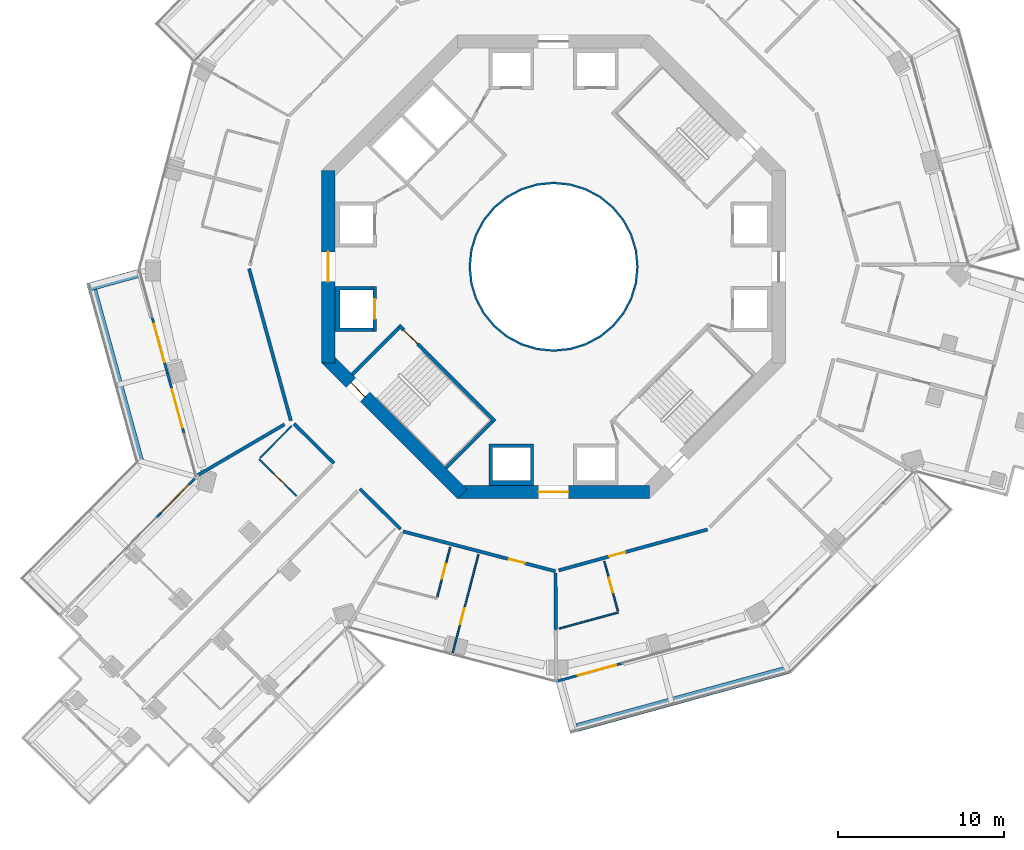
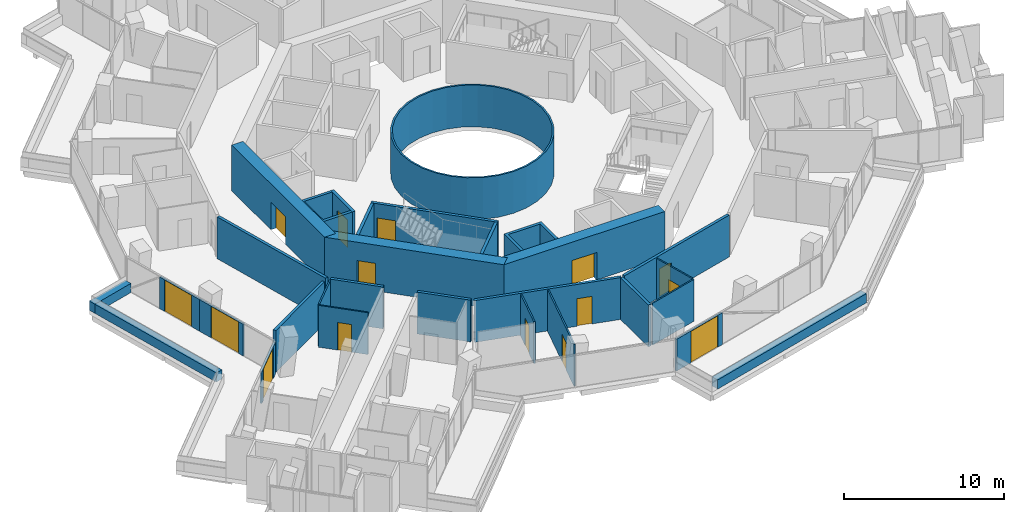
# One storey, part 18 of 26: 30 walls, 15 doors, 15 openings.
"""IFC4 building model written with IfcOpenShell, lengths in metres."""

from ifc_helpers import new_model, si_unit, direction, frame, frame_2d, origin, place, context, subcontext, project, spatial, polyline, rectangle, outline, extrude, material, layer, layer_set, type_object, element, fill, save


model = new_model("IFC4")

# Units and contexts
model_context = context("Model", 3, precision=1e-05, world=origin(), true_north=direction((0.0, 1.0)))
body_context = subcontext(model_context, "Body", "Model", "MODEL_VIEW")
ifc_project = project(units=[si_unit("LENGTHUNIT", "METRE"), si_unit("AREAUNIT", "SQUARE_METRE"), si_unit("VOLUMEUNIT", "CUBIC_METRE"), si_unit("PLANEANGLEUNIT", "RADIAN"), si_unit("MASSUNIT", "GRAM", prefix="KILO")], contexts=[model_context])

# Site, building, storey
site_placement = place(None, origin())
site = spatial("IfcSite", under=ifc_project, at=site_placement, CompositionType="ELEMENT")
building_placement = place(site_placement, origin())
building = spatial("IfcBuilding", under=site, at=building_placement, Name="Verdalira Terraces Hotel", CompositionType="ELEMENT")
storey_placement = place(building_placement, frame((0.0, 0.0, 96.5)))
storey = spatial("IfcBuildingStorey", under=building, at=storey_placement, Name="L22", CompositionType="ELEMENT", Elevation=96.5)

# Walls
ifc_material_1 = material(Name="Fire-resisting glass EI 180", Category="glass")
ifc_layer_1 = layer(ifc_material_1, 0.1201171875)
ifc_layer_set_1 = layer_set([ifc_layer_1], Name="Atrium fire screen 120 mm")
wall_type_1 = type_object("IfcWallType", Name="Atrium fire screen 120 mm", PredefinedType="SOLIDWALL", material=ifc_layer_set_1)
wall_1_placement = place(storey_placement, origin())
element("IfcWall", 1, at=wall_1_placement, inside=storey, type_object=wall_type_1, Name="Atrium fire screen", PredefinedType="SOLIDWALL", context=body_context, shape_type="SweptSolid", body=[
    extrude(outline(polyline([(5.021484, -0.998779), (4.730225, -1.959229), (4.25708, -2.844482), (3.620361, -3.620361), (2.844482, -4.25708), (1.959229, -4.730225), (0.998779, -5.021484), (0.0, -5.120117), (-0.998779, -5.021484), (-1.959229, -4.730225), (-2.844482, -4.25708), (-3.620361, -3.620361), (-4.25708, -2.844482), (-4.730225, -1.959229), (-5.021484, -0.998779), (-5.120117, 0.0), (-5.021484, 0.998779), (-4.730225, 1.959229), (-4.25708, 2.844482), (-3.620361, 3.620361), (-2.844482, 4.25708), (-1.959229, 4.730225), (-0.998779, 5.021484), (0.0, 5.120117), (0.998779, 5.021484), (1.959229, 4.730225), (2.844482, 4.25708), (3.620361, 3.620361), (4.25708, 2.844482), (4.730225, 1.959229), (5.021484, 0.998779), (5.120117, 0.0), (5.021484, -0.998779)]), holes=[polyline([(4.903809, 0.975586), (4.619385, 1.91333), (4.157227, 2.777832), (3.5354, 3.5354), (2.777832, 4.157227), (1.91333, 4.619385), (0.975586, 4.903809), (0.0, 5.0), (-0.975586, 4.903809), (-1.91333, 4.619385), (-2.777832, 4.157227), (-3.5354, 3.5354), (-4.157227, 2.777832), (-4.619385, 1.91333), (-4.903809, 0.975586), (-5.0, 0.0), (-4.903809, -0.975586), (-4.619385, -1.91333), (-4.157227, -2.777832), (-3.5354, -3.5354), (-2.777832, -4.157227), (-1.91333, -4.619385), (-0.975586, -4.903809), (0.0, -5.0), (0.975586, -4.903809), (1.91333, -4.619385), (2.777832, -4.157227), (3.5354, -3.5354), (4.157227, -2.777832), (4.619385, -1.91333), (4.903809, -0.975586), (5.0, 0.0), (4.903809, 0.975586)])]), origin(), (0.0, 0.0, 1.0), 3.189941),
])
ifc_material_2 = material(Name="Concrete C40", Category="concrete")
ifc_layer_2 = layer(ifc_material_2, 0.5)
ifc_layer_set_2 = layer_set([ifc_layer_2], Name="Balcony planter trough with tree")
wall_type_2 = type_object("IfcWallType", Name="Balcony planter trough with tree", PredefinedType="SOLIDWALL", material=ifc_layer_set_2)
wall_2_placement = place(storey_placement, frame((-25.04834, -0.39917, 0.0), z_axis=(0.0, 0.0, 1.0), x_axis=(-0.964276089, -0.264899272, 0.0)))
element("IfcWall", 2, at=wall_2_placement, inside=storey, type_object=wall_type_2, Name="Balcony planter", PredefinedType="SOLIDWALL", context=body_context, shape_type="SweptSolid", body=[
    extrude(rectangle(XDim=3.198975, YDim=0.5, at=frame_2d((1.599609, 0.0))), origin(), (0.0, 0.0, 1.0), 0.699951),
])
wall_3_placement = place(storey_placement, frame((-27.825684, -1.421387, 0.0), z_axis=(0.0, 0.0, 1.0), x_axis=(0.264872018, -0.964283576, 0.0)))
element("IfcWall", 3, at=wall_3_placement, inside=storey, type_object=wall_type_2, Name="Balcony planter", PredefinedType="SOLIDWALL", context=body_context, shape_type="SweptSolid", body=[
    extrude(rectangle(XDim=10.652344, YDim=0.5, at=frame_2d((5.326172, 0.0))), origin(), (0.0, 0.0, 1.0), 0.699951),
])
wall_4_placement = place(storey_placement, frame((1.421387, -27.825684, 0.0), z_axis=(0.0, 0.0, 1.0), x_axis=(0.964279464, 0.264886985, 0.0)))
element("IfcWall", 4, at=wall_4_placement, inside=storey, type_object=wall_type_2, Name="Balcony planter", PredefinedType="SOLIDWALL", context=body_context, shape_type="SweptSolid", body=[
    extrude(rectangle(XDim=13.223389, YDim=0.5, at=frame_2d((6.611816, 0.0))), origin(), (0.0, 0.0, 1.0), 0.699951),
])
ifc_material_3 = material(Name="Moisture-resistant gypsum board partition")
ifc_layer_3 = layer(ifc_material_3, 0.10009765625)
ifc_layer_set_3 = layer_set([ifc_layer_3], Name="Bathroom partition 100 mm")
wall_type_3 = type_object("IfcWallType", Name="Bathroom partition 100 mm", PredefinedType="PARTITIONING", material=ifc_layer_set_3)
wall_5_placement = place(storey_placement, frame((-15.820312, -9.616211, 0.0), z_axis=(0.0, 0.0, 1.0), x_axis=(-0.702707475, -0.711478885, 0.0)))
element("IfcWall", 5, at=wall_5_placement, inside=storey, type_object=wall_type_3, Name="Bathroom partition", PredefinedType="PARTITIONING", context=body_context, shape_type="SweptSolid", body=[
    extrude(rectangle(XDim=2.699951, YDim=0.100098, at=frame_2d((1.350098, 0.0))), origin(), (0.0, 0.0, 1.0), 3.189941),
])

# Wall, opening, door
wall_6_placement = place(storey_placement, frame((-17.787842, -11.608398, 0.0), z_axis=(0.0, 0.0, 1.0), x_axis=(0.711593797, -0.70259111, 0.0)))
wall_6 = element("IfcWall", 6, at=wall_6_placement, inside=storey, type_object=wall_type_3, Name="Bathroom partition", PredefinedType="PARTITIONING", context=body_context, shape_type="SweptSolid", body=[
    extrude(rectangle(XDim=3.199951, YDim=0.100098, at=frame_2d((1.600098, 0.0))), origin(), (0.0, 0.0, 1.0), 3.189941),
])
opening_1_placement = place(wall_6_placement, frame((1.25, 0.0, 0.0)))
opening_1 = element("IfcOpeningElement", 7, at=opening_1_placement, cuts=wall_6, Name="Opening L22-115", PredefinedType="OPENING", context=body_context, shape_type="SweptSolid", body=[
    extrude(rectangle(XDim=0.899902, YDim=2.100098, at=frame_2d((0.449951, 1.050049))), frame((0.0, 0.060059, 0.0), z_axis=(0.0, -1.0, 0.0), x_axis=(1.0, 0.0, 0.0)), (0.0, 0.0, 1.0), 0.120117),
])
ifc_material_4 = material(Name="Timber door", Category="wood")
door_type_1 = type_object("IfcDoorType", Name="Bathroom door 900 x 2100", OperationType="NOTDEFINED", PredefinedType="DOOR", material=ifc_material_4)
door_1_placement = place(opening_1_placement, origin())
door_1 = element("IfcDoor", 8, at=door_1_placement, inside=storey, type_object=door_type_1, Name="Bathroom door 2205", OperationType="SINGLE_SWING_LEFT", OverallHeight=2.10009765625, OverallWidth=0.89990234375, PredefinedType="DOOR", context=body_context, shape_type="SweptSolid", body=[
    extrude(rectangle(XDim=0.899902, YDim=2.100098, at=frame_2d((0.449951, 1.050049))), frame((0.0, 0.024902, 0.0), z_axis=(0.0, -1.0, 0.0), x_axis=(1.0, 0.0, 0.0)), (0.0, 0.0, 1.0), 0.050049),
])
fill(opening_1, door_1)

wall_7_placement = place(storey_placement, frame((-7.023682, -19.930176, 0.0), z_axis=(0.0, 0.0, 1.0), x_axis=(0.252806597, 0.967516834, 0.0)))
wall_7 = element("IfcWall", 9, at=wall_7_placement, inside=storey, type_object=wall_type_3, Name="Bathroom partition", PredefinedType="PARTITIONING", context=body_context, shape_type="SweptSolid", body=[
    extrude(rectangle(XDim=3.099854, YDim=0.100098, at=frame_2d((1.549805, 0.0))), origin(), (0.0, 0.0, 1.0), 3.189941),
])
opening_2_placement = place(wall_7_placement, frame((1.149902, 0.0, 0.0)))
opening_2 = element("IfcOpeningElement", 10, at=opening_2_placement, cuts=wall_7, Name="Opening L22-123", PredefinedType="OPENING", context=body_context, shape_type="SweptSolid", body=[
    extrude(rectangle(XDim=0.899902, YDim=2.100098, at=frame_2d((0.449951, 1.050049))), frame((0.0, 0.060059, 0.0), z_axis=(0.0, -1.0, 0.0), x_axis=(1.0, 0.0, 0.0)), (0.0, 0.0, 1.0), 0.120117),
])
door_2_placement = place(opening_2_placement, origin())
door_2 = element("IfcDoor", 11, at=door_2_placement, inside=storey, type_object=door_type_1, Name="Bathroom door 2208", OperationType="SINGLE_SWING_LEFT", OverallHeight=2.10009765625, OverallWidth=0.89990234375, PredefinedType="DOOR", context=body_context, shape_type="SweptSolid", body=[
    extrude(rectangle(XDim=0.899902, YDim=2.100098, at=frame_2d((0.449951, 1.050049))), frame((0.0, 0.024902, 0.0), z_axis=(0.0, -1.0, 0.0), x_axis=(1.0, 0.0, 0.0)), (0.0, 0.0, 1.0), 0.050049),
])
fill(opening_2, door_2)

wall_8_placement = place(storey_placement, frame((-6.093262, -23.325684, 0.0), z_axis=(0.0, 0.0, 1.0), x_axis=(0.252749926, 0.96753164, 0.0)))
wall_8 = element("IfcWall", 12, at=wall_8_placement, inside=storey, type_object=wall_type_3, Name="Bathroom partition", PredefinedType="PARTITIONING", context=body_context, shape_type="SweptSolid", body=[
    extrude(rectangle(XDim=6.150146, YDim=0.100098, at=frame_2d((3.075195, 0.0))), origin(), (0.0, 0.0, 1.0), 3.189941),
])
opening_3_placement = place(wall_8_placement, frame((1.800049, 0.0, 0.0)))
opening_3 = element("IfcOpeningElement", 13, at=opening_3_placement, cuts=wall_8, Name="Opening L22-122", PredefinedType="OPENING", context=body_context, shape_type="SweptSolid", body=[
    extrude(rectangle(XDim=1.0, YDim=2.100098, at=frame_2d((0.5, 1.050049))), frame((0.0, 0.060059, 0.0), z_axis=(0.0, -1.0, 0.0), x_axis=(1.0, 0.0, 0.0)), (0.0, 0.0, 1.0), 0.120117),
])
ifc_material_5 = material(Name="Timber door", Category="wood")
door_type_2 = type_object("IfcDoorType", Name="Suite internal door 1000 x 2100", OperationType="NOTDEFINED", PredefinedType="DOOR", material=ifc_material_5)
door_3_placement = place(opening_3_placement, origin())
door_3 = element("IfcDoor", 14, at=door_3_placement, inside=storey, type_object=door_type_2, Name="Suite internal door 2208", OperationType="SINGLE_SWING_LEFT", OverallHeight=2.10009765625, OverallWidth=1.0, PredefinedType="DOOR", context=body_context, shape_type="SweptSolid", body=[
    extrude(rectangle(XDim=1.0, YDim=2.100098, at=frame_2d((0.5, 1.050049))), frame((0.0, 0.024902, 0.0), z_axis=(0.0, -1.0, 0.0), x_axis=(1.0, 0.0, 0.0)), (0.0, 0.0, 1.0), 0.050049),
])
fill(opening_3, door_3)

# Wall
wall_9_placement = place(storey_placement, frame((3.908936, -20.868408, 0.0), z_axis=(0.0, 0.0, 1.0), x_axis=(-0.964289186, -0.264851593, 0.0)))
element("IfcWall", 15, at=wall_9_placement, inside=storey, type_object=wall_type_3, Name="Bathroom partition", PredefinedType="PARTITIONING", context=body_context, shape_type="SweptSolid", body=[
    extrude(rectangle(XDim=3.703857, YDim=0.100098, at=frame_2d((1.852051, 0.0))), origin(), (0.0, 0.0, 1.0), 3.189941),
])

# Wall, opening, door
wall_10_placement = place(storey_placement, frame((3.882568, -20.771973, 0.0), z_axis=(0.0, 0.0, 1.0), x_axis=(-0.264929502, 0.964267784, 0.0)))
wall_10 = element("IfcWall", 16, at=wall_10_placement, inside=storey, type_object=wall_type_3, Name="Bathroom partition", PredefinedType="PARTITIONING", context=body_context, shape_type="SweptSolid", body=[
    extrude(rectangle(XDim=3.100098, YDim=0.100098, at=frame_2d((1.550049, 0.0))), origin(), (0.0, 0.0, 1.0), 3.189941),
])
opening_4_placement = place(wall_10_placement, frame((1.149902, 0.0, 0.0)))
opening_4 = element("IfcOpeningElement", 17, at=opening_4_placement, cuts=wall_10, Name="Opening L22-125", PredefinedType="OPENING", context=body_context, shape_type="SweptSolid", body=[
    extrude(rectangle(XDim=0.899902, YDim=2.100098, at=frame_2d((0.449951, 1.050049))), frame((0.0, 0.060059, 0.0), z_axis=(0.0, -1.0, 0.0), x_axis=(1.0, 0.0, 0.0)), (0.0, 0.0, 1.0), 0.120117),
])
door_4_placement = place(opening_4_placement, origin())
door_4 = element("IfcDoor", 18, at=door_4_placement, inside=storey, type_object=door_type_1, Name="Bathroom door 2209", OperationType="SINGLE_SWING_LEFT", OverallHeight=2.10009765625, OverallWidth=0.89990234375, PredefinedType="DOOR", context=body_context, shape_type="SweptSolid", body=[
    extrude(rectangle(XDim=0.899902, YDim=2.100098, at=frame_2d((0.449951, 1.050049))), frame((0.0, 0.024902, 0.0), z_axis=(0.0, -1.0, 0.0), x_axis=(1.0, 0.0, 0.0)), (0.0, 0.0, 1.0), 0.050049),
])
fill(opening_4, door_4)

# Wall
ifc_material_6 = material(Name="Concrete C50", Category="concrete")
ifc_layer_4 = layer(ifc_material_6, 0.199951171875)
ifc_layer_set_4 = layer_set([ifc_layer_4], Name="Core RC wall 200 C50")
wall_type_4 = type_object("IfcWallType", Name="Core RC wall 200 C50", PredefinedType="SOLIDWALL", material=ifc_layer_set_4)
wall_11_placement = place(storey_placement, origin())
element("IfcWall", 19, at=wall_11_placement, inside=storey, type_object=wall_type_4, Name="L22 shaft wall W2", PredefinedType="SOLIDWALL", context=body_context, shape_type="SweptSolid", body=[
    extrude(outline(polyline([(-13.199951, -3.899902), (-13.199951, -1.199951), (-10.899902, -1.199951), (-10.899902, -1.399902), (-12.899902, -1.399902), (-12.899902, -3.699951), (-10.899902, -3.699951), (-10.899902, -3.899902), (-13.199951, -3.899902)])), origin(), (0.0, 0.0, 1.0), 3.189941),
])

# Wall, opening, door
wall_12_placement = place(storey_placement, frame((-10.800049, -1.199951, 0.0), z_axis=(0.0, 0.0, 1.0), x_axis=(0.0, -1.0, 0.0)))
wall_12 = element("IfcWall", 20, at=wall_12_placement, inside=storey, type_object=wall_type_4, Name="L22 shaft front wall W2", PredefinedType="SOLIDWALL", context=body_context, shape_type="SweptSolid", body=[
    extrude(rectangle(XDim=2.699951, YDim=0.199951, at=frame_2d((1.350098, 0.0))), origin(), (0.0, 0.0, 1.0), 3.189941),
])
opening_5_placement = place(wall_12_placement, frame((0.75, 0.0, 0.0)))
opening_5 = element("IfcOpeningElement", 21, at=opening_5_placement, cuts=wall_12, Name="Opening LD-L22-806", PredefinedType="OPENING", context=body_context, shape_type="SweptSolid", body=[
    extrude(rectangle(XDim=1.199951, YDim=2.100098, at=frame_2d((0.600098, 1.050049))), frame((0.0, 0.109863, 0.0), z_axis=(0.0, -1.0, 0.0), x_axis=(1.0, 0.0, 0.0)), (0.0, 0.0, 1.0), 0.219971),
])
ifc_material_7 = material(Name="Stainless steel", Category="steel")
door_type_3 = type_object("IfcDoorType", Name="Landing door 1200 x 2100", OperationType="NOTDEFINED", PredefinedType="DOOR", material=ifc_material_7)
door_5_placement = place(opening_5_placement, origin())
door_5 = element("IfcDoor", 22, at=door_5_placement, inside=storey, type_object=door_type_3, Name="Lift landing door LR6 L22", OperationType="DOUBLE_DOOR_SLIDING", OverallHeight=2.10009765625, OverallWidth=1.199951171875, PredefinedType="DOOR", context=body_context, shape_type="SweptSolid", body=[
    extrude(rectangle(XDim=1.199951, YDim=2.100098, at=frame_2d((0.600098, 1.050049))), frame((0.0, 0.024902, 0.0), z_axis=(0.0, -1.0, 0.0), x_axis=(1.0, 0.0, 0.0)), (0.0, 0.0, 1.0), 0.050049),
])
fill(opening_5, door_5)

# Wall
wall_13_placement = place(storey_placement, origin())
element("IfcWall", 23, at=wall_13_placement, inside=storey, type_object=wall_type_4, Name="L22 shaft wall S1", PredefinedType="SOLIDWALL", context=body_context, shape_type="SweptSolid", body=[
    extrude(outline(polyline([(-1.199951, -13.199951), (-3.899902, -13.199951), (-3.899902, -10.699951), (-1.199951, -10.699951), (-1.199951, -13.199951)]), holes=[polyline([(-3.699951, -10.899902), (-3.699951, -12.899902), (-1.399902, -12.899902), (-1.399902, -10.899902), (-3.699951, -10.899902)])]), origin(), (0.0, 0.0, 1.0), 3.189941),
])

# Wall, opening, door
wall_14_placement = place(storey_placement, frame((-3.5354, -9.33374, 0.0), z_axis=(0.0, 0.0, 1.0), x_axis=(-0.707106781, 0.707106781, 0.0)))
wall_14 = element("IfcWall", 24, at=wall_14_placement, inside=storey, type_object=wall_type_4, Name="L22 stair ST2 front wall", PredefinedType="SOLIDWALL", context=body_context, shape_type="SweptSolid", body=[
    extrude(rectangle(XDim=8.200195, YDim=0.199951, at=frame_2d((4.100098, 0.0))), origin(), (0.0, 0.0, 1.0), 3.189941),
])
opening_6_placement = place(wall_14_placement, frame((6.600098, 0.0, 0.0)))
opening_6 = element("IfcOpeningElement", 25, at=opening_6_placement, cuts=wall_14, Name="Opening L22-810", PredefinedType="OPENING", context=body_context, shape_type="SweptSolid", body=[
    extrude(rectangle(XDim=1.199951, YDim=2.100098, at=frame_2d((0.600098, 1.050049))), frame((0.0, 0.109863, 0.0), z_axis=(0.0, -1.0, 0.0), x_axis=(1.0, 0.0, 0.0)), (0.0, 0.0, 1.0), 0.219971),
])
ifc_material_8 = material(Name="Steel fire door", Category="steel")
door_type_4 = type_object("IfcDoorType", Name="Stair door 1200 x 2100", OperationType="NOTDEFINED", PredefinedType="DOOR", material=ifc_material_8)
door_6_placement = place(opening_6_placement, origin())
door_6 = element("IfcDoor", 26, at=door_6_placement, inside=storey, type_object=door_type_4, Name="Stair door ST2 L22", OperationType="SINGLE_SWING_RIGHT", OverallHeight=2.10009765625, OverallWidth=1.199951171875, PredefinedType="DOOR", context=body_context, shape_type="SweptSolid", body=[
    extrude(rectangle(XDim=1.199951, YDim=2.100098, at=frame_2d((0.600098, 1.050049))), frame((0.0, 0.024902, 0.0), z_axis=(0.0, -1.0, 0.0), x_axis=(1.0, 0.0, 0.0)), (0.0, 0.0, 1.0), 0.050049),
])
fill(opening_6, door_6)

# Walls
for number, where, z_axis, x_axis, name in (
    (27, (-9.33374, -3.677002, 0.0), (0.0, 0.0, 1.0), (-0.707106781, -0.707106781, 0.0), "L22 stair ST2 end wall 1"),
    (28, (-3.677002, -9.33374, 0.0), (0.0, 0.0, 1.0), (-0.707106781, -0.707106781, 0.0), "L22 stair ST2 end wall 2"),
):
    element("IfcWall", number, at=place(storey_placement, frame(where, z_axis=z_axis, x_axis=x_axis)), inside=storey, type_object=wall_type_4, Name=name, PredefinedType="SOLIDWALL", context=body_context, shape_type="SweptSolid", body=[
        extrude(rectangle(XDim=4.0, YDim=0.199951, at=frame_2d((2.0, 0.0))), origin(), (0.0, 0.0, 1.0), 3.189941),
    ])

# Wall, opening, door
ifc_material_9 = material(Name="Concrete C70", Category="concrete")
ifc_layer_5 = layer(ifc_material_9, 0.800048828125)
ifc_layer_set_5 = layer_set([ifc_layer_5], Name="Core wall 800 C70")
wall_type_5 = type_object("IfcWallType", Name="Core wall 800 C70", PredefinedType="SHEAR", material=ifc_layer_set_5)
wall_15_placement = place(storey_placement, frame((-13.600098, 5.799072, 0.0), z_axis=(0.0, 0.0, 1.0), x_axis=(0.0, -1.0, 0.0)))
wall_15 = element("IfcWall", 29, at=wall_15_placement, inside=storey, type_object=wall_type_5, Name="Core wall CW-L22-5", PredefinedType="SHEAR", context=body_context, shape_type="SweptSolid", body=[
    extrude(rectangle(XDim=11.598145, YDim=0.800049, at=frame_2d((5.799072, 0.0))), origin(), (0.0, 0.0, 1.0), 3.5),
])
opening_7_placement = place(wall_15_placement, frame((4.898926, 0.0, 0.0)))
opening_7 = element("IfcOpeningElement", 30, at=opening_7_placement, cuts=wall_15, Name="Opening L22-814", PredefinedType="OPENING", context=body_context, shape_type="SweptSolid", body=[
    extrude(rectangle(XDim=1.800049, YDim=2.100098, at=frame_2d((0.899902, 1.050049))), frame((0.0, 0.409912, 0.0), z_axis=(0.0, -1.0, 0.0), x_axis=(1.0, 0.0, 0.0)), (0.0, 0.0, 1.0), 0.820068),
])
ifc_material_10 = material(Name="Steel fire door", Category="steel")
door_type_5 = type_object("IfcDoorType", Name="Core entry door pair 1800 x 2100", OperationType="NOTDEFINED", PredefinedType="DOOR", material=ifc_material_10)
door_7_placement = place(opening_7_placement, origin())
door_7 = element("IfcDoor", 31, at=door_7_placement, inside=storey, type_object=door_type_5, Name="Core entry door L22 4", OperationType="DOUBLE_DOOR_SINGLE_SWING", OverallHeight=2.10009765625, OverallWidth=1.800048828125, PredefinedType="DOOR", context=body_context, shape_type="SweptSolid", body=[
    extrude(rectangle(XDim=1.800049, YDim=2.100098, at=frame_2d((0.899902, 1.050049))), frame((0.0, 0.024902, 0.0), z_axis=(0.0, -1.0, 0.0), x_axis=(1.0, 0.0, 0.0)), (0.0, 0.0, 1.0), 0.050049),
])
fill(opening_7, door_7)

wall_16_placement = place(storey_placement, frame((-13.717285, -5.516113, 0.0), z_axis=(0.0, 0.0, 1.0), x_axis=(0.707106781, -0.707106781, 0.0)))
wall_16 = element("IfcWall", 32, at=wall_16_placement, inside=storey, type_object=wall_type_5, Name="Core wall CW-L22-6", PredefinedType="SHEAR", context=body_context, shape_type="SweptSolid", body=[
    extrude(rectangle(XDim=11.598145, YDim=0.800049, at=frame_2d((5.799072, 0.0))), origin(), (0.0, 0.0, 1.0), 3.5),
])
opening_8_placement = place(wall_16_placement, frame((2.099121, 0.0, 0.0)))
opening_8 = element("IfcOpeningElement", 33, at=opening_8_placement, cuts=wall_16, Name="Opening L22-817", PredefinedType="OPENING", context=body_context, shape_type="SweptSolid", body=[
    extrude(rectangle(XDim=1.199951, YDim=2.100098, at=frame_2d((0.600098, 1.050049))), frame((0.0, 0.409912, 0.0), z_axis=(0.0, -1.0, 0.0), x_axis=(1.0, 0.0, 0.0)), (0.0, 0.0, 1.0), 0.820068),
])
door_8_placement = place(opening_8_placement, origin())
door_8 = element("IfcDoor", 34, at=door_8_placement, inside=storey, type_object=door_type_4, Name="Stair exit door ST2 L22", OperationType="SINGLE_SWING_LEFT", OverallHeight=2.10009765625, OverallWidth=1.199951171875, PredefinedType="DOOR", context=body_context, shape_type="SweptSolid", body=[
    extrude(rectangle(XDim=1.199951, YDim=2.100098, at=frame_2d((0.600098, 1.050049))), frame((0.0, 0.024902, 0.0), z_axis=(0.0, -1.0, 0.0), x_axis=(1.0, 0.0, 0.0)), (0.0, 0.0, 1.0), 0.050049),
])
fill(opening_8, door_8)

wall_17_placement = place(storey_placement, frame((-5.799072, -13.600098, 0.0), z_axis=(0.0, 0.0, 1.0), x_axis=(1.0, 0.0, 0.0)))
wall_17 = element("IfcWall", 35, at=wall_17_placement, inside=storey, type_object=wall_type_5, Name="Core wall CW-L22-7", PredefinedType="SHEAR", context=body_context, shape_type="SweptSolid", body=[
    extrude(rectangle(XDim=11.598145, YDim=0.800049, at=frame_2d((5.799072, 0.0))), origin(), (0.0, 0.0, 1.0), 3.5),
])
opening_9_placement = place(wall_17_placement, frame((4.898926, 0.0, 0.0)))
opening_9 = element("IfcOpeningElement", 36, at=opening_9_placement, cuts=wall_17, Name="Opening L22-815", PredefinedType="OPENING", context=body_context, shape_type="SweptSolid", body=[
    extrude(rectangle(XDim=1.800049, YDim=2.100098, at=frame_2d((0.899902, 1.050049))), frame((0.0, 0.409912, 0.0), z_axis=(0.0, -1.0, 0.0), x_axis=(1.0, 0.0, 0.0)), (0.0, 0.0, 1.0), 0.820068),
])
door_9_placement = place(opening_9_placement, origin())
door_9 = element("IfcDoor", 37, at=door_9_placement, inside=storey, type_object=door_type_5, Name="Core entry door L22 6", OperationType="DOUBLE_DOOR_SINGLE_SWING", OverallHeight=2.10009765625, OverallWidth=1.800048828125, PredefinedType="DOOR", context=body_context, shape_type="SweptSolid", body=[
    extrude(rectangle(XDim=1.800049, YDim=2.100098, at=frame_2d((0.899902, 1.050049))), frame((0.0, 0.024902, 0.0), z_axis=(0.0, -1.0, 0.0), x_axis=(1.0, 0.0, 0.0)), (0.0, 0.0, 1.0), 0.050049),
])
fill(opening_9, door_9)

# Walls
ifc_material_11 = material(Name="Fire-rated gypsum board wall")
ifc_layer_6 = layer(ifc_material_11, 0.199951171875)
ifc_layer_set_6 = layer_set([ifc_layer_6], Name="Demising wall 200 mm")
wall_type_6 = type_object("IfcWallType", Name="Demising wall 200 mm", PredefinedType="SOLIDWALL", material=ifc_layer_set_6)
wall_18_placement = place(storey_placement, frame((-16.249512, -9.518311, 0.0), z_axis=(0.0, 0.0, 1.0), x_axis=(-0.862859052, -0.505444613, 0.0)))
element("IfcWall", 38, at=wall_18_placement, inside=storey, type_object=wall_type_6, Name="Demising wall", PredefinedType="SOLIDWALL", context=body_context, shape_type="SweptSolid", body=[
    extrude(rectangle(XDim=6.13208, YDim=0.199951, at=frame_2d((3.065918, 0.0))), origin(), (0.0, 0.0, 1.0), 3.189941),
])
wall_19_placement = place(storey_placement, frame((0.116211, -18.487793, 0.0), z_axis=(0.0, 0.0, 1.0), x_axis=(0.006284692, -0.999980251, 0.0)))
element("IfcWall", 39, at=wall_19_placement, inside=storey, type_object=wall_type_6, Name="Demising wall", PredefinedType="SOLIDWALL", context=body_context, shape_type="SweptSolid", body=[
    extrude(rectangle(XDim=3.418457, YDim=0.199951, at=frame_2d((1.709229, 0.0))), origin(), (0.0, 0.0, 1.0), 3.189941),
])
ifc_material_12 = material(Name="Fire-rated gypsum board wall")
ifc_layer_7 = layer(ifc_material_12, 0.199951171875)
ifc_layer_set_7 = layer_set([ifc_layer_7], Name="Guest corridor wall 200 mm")
wall_type_7 = type_object("IfcWallType", Name="Guest corridor wall 200 mm", PredefinedType="SOLIDWALL", material=ifc_layer_set_7)
wall_20_placement = place(storey_placement, frame((-18.384277, -0.115967, 0.0), z_axis=(0.0, 0.0, 1.0), x_axis=(0.264890529, -0.964278491, 0.0)))
element("IfcWall", 40, at=wall_20_placement, inside=storey, type_object=wall_type_7, Name="Guest corridor wall", PredefinedType="SOLIDWALL", context=body_context, shape_type="SweptSolid", body=[
    extrude(rectangle(XDim=9.516113, YDim=0.199951, at=frame_2d((4.758057, 0.0))), origin(), (0.0, 0.0, 1.0), 3.189941),
])
wall_21_placement = place(storey_placement, frame((-15.679688, -9.473877, 0.0), z_axis=(0.0, 0.0, 1.0), x_axis=(0.711544858, -0.702640673, 0.0)))
element("IfcWall", 41, at=wall_21_placement, inside=storey, type_object=wall_type_7, Name="Guest corridor wall", PredefinedType="SOLIDWALL", context=body_context, shape_type="SweptSolid", body=[
    extrude(rectangle(XDim=3.399902, YDim=0.199951, at=frame_2d((1.699951, 0.0))), origin(), (0.0, 0.0, 1.0), 3.189941),
])
wall_22_placement = place(storey_placement, frame((-11.695312, -13.408691, 0.0), z_axis=(0.0, 0.0, 1.0), x_axis=(0.711540362, -0.702645225, 0.0)))
element("IfcWall", 42, at=wall_22_placement, inside=storey, type_object=wall_type_7, Name="Guest corridor wall", PredefinedType="SOLIDWALL", context=body_context, shape_type="SweptSolid", body=[
    extrude(rectangle(XDim=3.458252, YDim=0.199951, at=frame_2d((1.729004, 0.0))), origin(), (0.0, 0.0, 1.0), 3.189941),
])

# Wall, opening, door
wall_23_placement = place(storey_placement, frame((0.115479, -18.384521, 0.0), z_axis=(0.0, 0.0, 1.0), x_axis=(-0.967527583, 0.252765459, 0.0)))
wall_23 = element("IfcWall", 43, at=wall_23_placement, inside=storey, type_object=wall_type_7, Name="Guest corridor wall", PredefinedType="SOLIDWALL", context=body_context, shape_type="SweptSolid", body=[
    extrude(rectangle(XDim=9.516846, YDim=0.199951, at=frame_2d((4.758301, 0.0))), origin(), (0.0, 0.0, 1.0), 3.189941),
])
opening_10_placement = place(wall_23_placement, frame((1.899902, 0.0, 0.0)))
opening_10 = element("IfcOpeningElement", 44, at=opening_10_placement, cuts=wall_23, Name="Opening L22-121", PredefinedType="OPENING", context=body_context, shape_type="SweptSolid", body=[
    extrude(rectangle(XDim=1.0, YDim=2.100098, at=frame_2d((0.5, 1.050049))), frame((0.0, 0.109863, 0.0), z_axis=(0.0, -1.0, 0.0), x_axis=(1.0, 0.0, 0.0)), (0.0, 0.0, 1.0), 0.219971),
])
ifc_material_13 = material(Name="Timber fire door", Category="wood")
door_type_6 = type_object("IfcDoorType", Name="Guest entry door 1000 x 2100", OperationType="NOTDEFINED", PredefinedType="DOOR", material=ifc_material_13)
door_10_placement = place(opening_10_placement, origin())
door_10 = element("IfcDoor", 45, at=door_10_placement, inside=storey, type_object=door_type_6, Name="Guest entry door 2208", OperationType="SINGLE_SWING_LEFT", OverallHeight=2.10009765625, OverallWidth=1.0, PredefinedType="DOOR", context=body_context, shape_type="SweptSolid", body=[
    extrude(rectangle(XDim=1.0, YDim=2.100098, at=frame_2d((0.5, 1.050049))), frame((0.0, 0.024902, 0.0), z_axis=(0.0, -1.0, 0.0), x_axis=(1.0, 0.0, 0.0)), (0.0, 0.0, 1.0), 0.050049),
])
fill(opening_10, door_10)

wall_24_placement = place(storey_placement, frame((9.291748, -15.86377, 0.0), z_axis=(0.0, 0.0, 1.0), x_axis=(-0.96428508, -0.264866543, 0.0)))
wall_24 = element("IfcWall", 46, at=wall_24_placement, inside=storey, type_object=wall_type_7, Name="Guest corridor wall", PredefinedType="SOLIDWALL", context=body_context, shape_type="SweptSolid", body=[
    extrude(rectangle(XDim=9.316162, YDim=0.199951, at=frame_2d((4.658203, 0.0))), origin(), (0.0, 0.0, 1.0), 3.189941),
])
opening_11_placement = place(wall_24_placement, frame((5.149902, 0.0, 0.0)))
opening_11 = element("IfcOpeningElement", 47, at=opening_11_placement, cuts=wall_24, Name="Opening L22-124", PredefinedType="OPENING", context=body_context, shape_type="SweptSolid", body=[
    extrude(rectangle(XDim=1.0, YDim=2.100098, at=frame_2d((0.5, 1.050049))), frame((0.0, 0.109863, 0.0), z_axis=(0.0, -1.0, 0.0), x_axis=(1.0, 0.0, 0.0)), (0.0, 0.0, 1.0), 0.219971),
])
door_11_placement = place(opening_11_placement, origin())
door_11 = element("IfcDoor", 48, at=door_11_placement, inside=storey, type_object=door_type_6, Name="Guest entry door 2209", OperationType="SINGLE_SWING_LEFT", OverallHeight=2.10009765625, OverallWidth=1.0, PredefinedType="DOOR", context=body_context, shape_type="SweptSolid", body=[
    extrude(rectangle(XDim=1.0, YDim=2.100098, at=frame_2d((0.5, 1.050049))), frame((0.0, 0.024902, 0.0), z_axis=(0.0, -1.0, 0.0), x_axis=(1.0, 0.0, 0.0)), (0.0, 0.0, 1.0), 0.050049),
])
fill(opening_11, door_11)

ifc_material_14 = material(Name="Terracotta cladding", Category="masonry")
ifc_layer_8 = layer(ifc_material_14, 0.14990234375)
ifc_layer_set_8 = layer_set([ifc_layer_8], Name="Terracotta door pier 150")
wall_type_8 = type_object("IfcWallType", Name="Terracotta door pier 150", PredefinedType="SOLIDWALL", material=ifc_layer_set_8)
wall_25_placement = place(storey_placement, frame((-24.23999, -3.054932, 0.0), z_axis=(0.0, 0.0, 1.0), x_axis=(0.264870706, -0.964283936, 0.0)))
wall_25 = element("IfcWall", 49, at=wall_25_placement, inside=storey, type_object=wall_type_8, Name="Terracotta door pier", PredefinedType="SOLIDWALL", context=body_context, shape_type="SweptSolid", body=[
    extrude(rectangle(XDim=3.474854, YDim=0.149902, at=frame_2d((1.737305, 0.0))), origin(), (0.0, 0.0, 1.0), 2.425049),
])
opening_12_placement = place(wall_25_placement, frame((0.399902, 0.0, 0.0)))
opening_12 = element("IfcOpeningElement", 50, at=opening_12_placement, cuts=wall_25, Name="Opening L22-B06", PredefinedType="OPENING", context=body_context, shape_type="SweptSolid", body=[
    extrude(rectangle(XDim=2.399902, YDim=2.399902, at=frame_2d((1.199951, 1.199951))), frame((0.0, 0.084961, 0.0), z_axis=(0.0, -1.0, 0.0), x_axis=(1.0, 0.0, 0.0)), (0.0, 0.0, 1.0), 0.169922),
])
ifc_material_15 = material(Name="Clear glass", Category="glass")
door_type_7 = type_object("IfcDoorType", Name="Balcony sliding door 2400x2400", OperationType="NOTDEFINED", PredefinedType="DOOR", material=ifc_material_15)
door_12_placement = place(opening_12_placement, origin())
door_12 = element("IfcDoor", 51, at=door_12_placement, inside=storey, type_object=door_type_7, Name="Balcony sliding door", OperationType="SLIDING_TO_RIGHT", OverallHeight=2.39990234375, OverallWidth=2.39990234375, PredefinedType="DOOR", context=body_context, shape_type="SweptSolid", body=[
    extrude(rectangle(XDim=2.399902, YDim=2.399902, at=frame_2d((1.199951, 1.199951))), frame((0.0, 0.024902, 0.0), z_axis=(0.0, -1.0, 0.0), x_axis=(1.0, 0.0, 0.0)), (0.0, 0.0, 1.0), 0.050049),
])
fill(opening_12, door_12)

wall_26_placement = place(storey_placement, frame((-23.31958, -6.405762, 0.0), z_axis=(0.0, 0.0, 1.0), x_axis=(0.264921246, -0.964270052, 0.0)))
wall_26 = element("IfcWall", 52, at=wall_26_placement, inside=storey, type_object=wall_type_8, Name="Terracotta door pier", PredefinedType="SOLIDWALL", context=body_context, shape_type="SweptSolid", body=[
    extrude(rectangle(XDim=3.835449, YDim=0.149902, at=frame_2d((1.917725, 0.0))), origin(), (0.0, 0.0, 1.0), 2.425049),
])
opening_13_placement = place(wall_26_placement, frame((1.0354, 0.0, 0.0)))
opening_13 = element("IfcOpeningElement", 53, at=opening_13_placement, cuts=wall_26, Name="Opening L22-B07", PredefinedType="OPENING", context=body_context, shape_type="SweptSolid", body=[
    extrude(rectangle(XDim=2.399902, YDim=2.399902, at=frame_2d((1.199951, 1.199951))), frame((0.0, 0.084961, 0.0), z_axis=(0.0, -1.0, 0.0), x_axis=(1.0, 0.0, 0.0)), (0.0, 0.0, 1.0), 0.169922),
])
door_13_placement = place(opening_13_placement, origin())
door_13 = element("IfcDoor", 54, at=door_13_placement, inside=storey, type_object=door_type_7, Name="Balcony sliding door", OperationType="SLIDING_TO_LEFT", OverallHeight=2.39990234375, OverallWidth=2.39990234375, PredefinedType="DOOR", context=body_context, shape_type="SweptSolid", body=[
    extrude(rectangle(XDim=2.399902, YDim=2.399902, at=frame_2d((1.199951, 1.199951))), frame((0.0, 0.024902, 0.0), z_axis=(0.0, -1.0, 0.0), x_axis=(1.0, 0.0, 0.0)), (0.0, 0.0, 1.0), 0.050049),
])
fill(opening_13, door_13)

wall_27_placement = place(storey_placement, frame((-21.666016, -12.795898, 0.0), z_axis=(0.0, 0.0, 1.0), x_axis=(-0.702645203, -0.711540384, 0.0)))
wall_27 = element("IfcWall", 55, at=wall_27_placement, inside=storey, type_object=wall_type_8, Name="Terracotta door pier", PredefinedType="SOLIDWALL", context=body_context, shape_type="SweptSolid", body=[
    extrude(rectangle(XDim=3.293457, YDim=0.149902, at=frame_2d((1.646729, 0.0))), origin(), (0.0, 0.0, 1.0), 2.425049),
])
opening_14_placement = place(wall_27_placement, frame((0.493652, 0.0, 0.0)))
opening_14 = element("IfcOpeningElement", 56, at=opening_14_placement, cuts=wall_27, Name="Opening L22-B08", PredefinedType="OPENING", context=body_context, shape_type="SweptSolid", body=[
    extrude(rectangle(XDim=2.399902, YDim=2.399902, at=frame_2d((1.199951, 1.199951))), frame((0.0, 0.084961, 0.0), z_axis=(0.0, -1.0, 0.0), x_axis=(1.0, 0.0, 0.0)), (0.0, 0.0, 1.0), 0.169922),
])
door_14_placement = place(opening_14_placement, origin())
door_14 = element("IfcDoor", 57, at=door_14_placement, inside=storey, type_object=door_type_7, Name="Balcony sliding door", OperationType="SLIDING_TO_LEFT", OverallHeight=2.39990234375, OverallWidth=2.39990234375, PredefinedType="DOOR", context=body_context, shape_type="SweptSolid", body=[
    extrude(rectangle(XDim=2.399902, YDim=2.399902, at=frame_2d((1.199951, 1.199951))), frame((0.0, 0.024902, 0.0), z_axis=(0.0, -1.0, 0.0), x_axis=(1.0, 0.0, 0.0)), (0.0, 0.0, 1.0), 0.050049),
])
fill(opening_14, door_14)

wall_28_placement = place(storey_placement, frame((0.234619, -25.014648, 0.0), z_axis=(0.0, 0.0, 1.0), x_axis=(0.964284377, 0.2648691, 0.0)))
wall_28 = element("IfcWall", 58, at=wall_28_placement, inside=storey, type_object=wall_type_8, Name="Terracotta door pier", PredefinedType="SOLIDWALL", context=body_context, shape_type="SweptSolid", body=[
    extrude(rectangle(XDim=4.067627, YDim=0.149902, at=frame_2d((2.033691, 0.0))), origin(), (0.0, 0.0, 1.0), 2.425049),
])
opening_15_placement = place(wall_28_placement, frame((1.267822, 0.0, 0.0)))
opening_15 = element("IfcOpeningElement", 59, at=opening_15_placement, cuts=wall_28, Name="Opening L22-B13", PredefinedType="OPENING", context=body_context, shape_type="SweptSolid", body=[
    extrude(rectangle(XDim=2.399902, YDim=2.399902, at=frame_2d((1.199951, 1.199951))), frame((0.0, 0.084961, 0.0), z_axis=(0.0, -1.0, 0.0), x_axis=(1.0, 0.0, 0.0)), (0.0, 0.0, 1.0), 0.169922),
])
door_15_placement = place(opening_15_placement, origin())
door_15 = element("IfcDoor", 60, at=door_15_placement, inside=storey, type_object=door_type_7, Name="Balcony sliding door", OperationType="SLIDING_TO_LEFT", OverallHeight=2.39990234375, OverallWidth=2.39990234375, PredefinedType="DOOR", context=body_context, shape_type="SweptSolid", body=[
    extrude(rectangle(XDim=2.399902, YDim=2.399902, at=frame_2d((1.199951, 1.199951))), frame((0.0, 0.024902, 0.0), z_axis=(0.0, -1.0, 0.0), x_axis=(1.0, 0.0, 0.0)), (0.0, 0.0, 1.0), 0.050049),
])
fill(opening_15, door_15)

save(model, "model.ifc")
